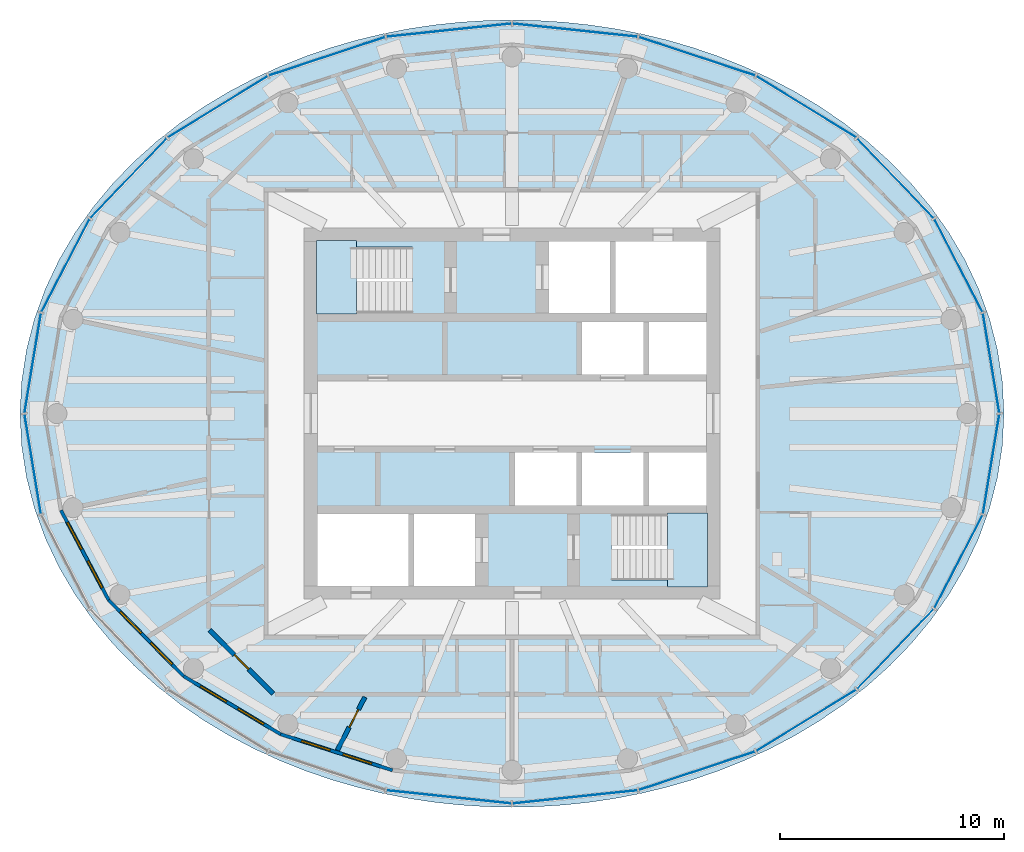
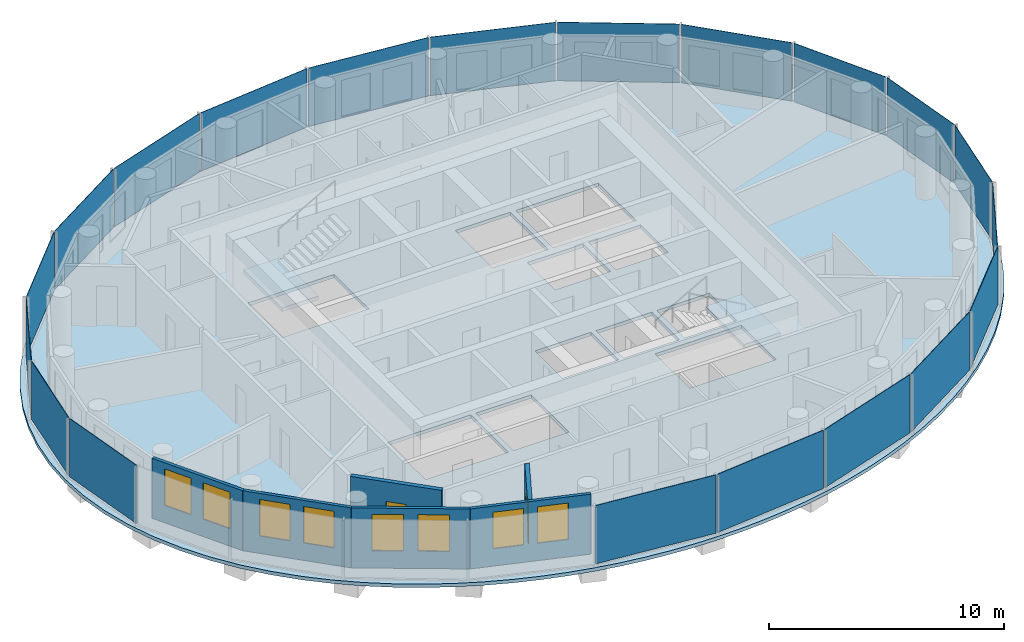
# One storey, part 4 of 11: 20 plates, 8 windows, 6 walls, 3 slabs, 2 doors, 10 openings, 6 elements without a shape of their own.
"""IFC4 building model written with IfcOpenShell, lengths in metres."""

from ifc_helpers import new_model, si_unit, direction, frame, frame_2d, origin, origin_2d, place, context, subcontext, project, spatial, polyline, rectangle, outline, extrude, material, layer, layer_set, type_object, element, fill, aggregate, save


model = new_model("IFC4")

# Units and contexts
model_context = context("Model", 3, precision=1e-05, world=origin(), true_north=direction((0.0, 1.0)))
body_context = subcontext(model_context, "Body", "Model", "MODEL_VIEW")
ifc_project = project(units=[si_unit("LENGTHUNIT", "METRE"), si_unit("AREAUNIT", "SQUARE_METRE"), si_unit("VOLUMEUNIT", "CUBIC_METRE"), si_unit("PLANEANGLEUNIT", "RADIAN"), si_unit("MASSUNIT", "GRAM", prefix="KILO")], contexts=[model_context])

# Site, building, storey
site_placement = place(None, origin())
site = spatial("IfcSite", under=ifc_project, at=site_placement, CompositionType="ELEMENT")
building_placement = place(site_placement, origin())
building = spatial("IfcBuilding", under=site, at=building_placement, Name="Hankou Lantern Tower", CompositionType="ELEMENT")
storey_placement = place(building_placement, frame((0.0, 0.0, 192.89990234375)))
storey = spatial("IfcBuildingStorey", under=building, at=storey_placement, Name="L51", CompositionType="ELEMENT", Elevation=192.89990234375)

# Curtain wall, plates
ifc_material_1 = material(Name="Glass, dark grey tinted laminated", Category="glass")
curtain_wall_type = type_object("IfcCurtainWallType", Name="CWD OUTER SKIN SUITE", PredefinedType="USERDEFINED", material=ifc_material_1)
curtain_wall_1_placement = place(storey_placement, origin())
curtain_wall_1 = element("IfcCurtainWall", 1, at=curtain_wall_1_placement, inside=storey, type_object=curtain_wall_type, Name="CWD L51 OS1", ObjectType="OUTER SKIN SUITE", PredefinedType="USERDEFINED")
ifc_material_2 = material(Name="Glass, dark grey tinted laminated", Category="glass")
ifc_layer_1 = layer(ifc_material_2, 0.02392578125)
ifc_layer_set_1 = layer_set([ifc_layer_1], Name="Glass, dark grey tinted laminated")
plate_type = type_object("IfcPlateType", Name="PN1 OUTER SKIN GLASS PANEL", PredefinedType="CURTAIN_PANEL", material=ifc_layer_set_1)
plate_1_placement = place(storey_placement, frame((21.4287109375, 2.2568359375, 0.080078125), z_axis=(0.0, 0.0, 1.0), x_axis=(-0.162381515188, 0.986728049427, 0.0)))
plate_1 = element("IfcPlate", 2, at=plate_1_placement, type_object=plate_type, Name="CWD glass panel 1", PredefinedType="CURTAIN_PANEL", context=body_context, shape_type="SweptSolid", body=[
    extrude(rectangle(XDim=4.49462890625, YDim=0.02392578125, at=origin_2d()), origin(), (0.0, 0.0, 1.0), 3.0400390625),
])
plate_2_placement = place(storey_placement, frame((19.96826171875, 6.616943359375, 0.080078125), z_axis=(0.0, 0.0, 1.0), x_axis=(-0.459791091957, 0.888027112062, 0.0)))
plate_2 = element("IfcPlate", 3, at=plate_2_placement, type_object=plate_type, Name="CWD glass panel 2", PredefinedType="CURTAIN_PANEL", context=body_context, shape_type="SweptSolid", body=[
    extrude(rectangle(XDim=4.656494140625, YDim=0.02392578125, at=origin_2d()), origin(), (0.0, 0.0, 1.0), 3.0400390625),
])
plate_3_placement = place(storey_placement, frame((17.147216796875, 10.52587890625, 0.080078125), z_axis=(0.0, 0.0, 1.0), x_axis=(-0.692215809936, 0.721690565599, 0.0)))
plate_3 = element("IfcPlate", 4, at=plate_3_placement, type_object=plate_type, Name="CWD glass panel 3", PredefinedType="CURTAIN_PANEL", context=body_context, shape_type="SweptSolid", body=[
    extrude(rectangle(XDim=4.9248046875, YDim=0.02392578125, at=origin_2d()), origin(), (0.0, 0.0, 1.0), 3.0400390625),
])
plate_4_placement = place(storey_placement, frame((13.157470703125, 13.7177734375, 0.080078125), z_axis=(0.0, 0.0, 1.0), x_axis=(-0.852237151549, 0.523155653242, 0.0)))
plate_4 = element("IfcPlate", 5, at=plate_4_placement, type_object=plate_type, Name="CWD glass panel 4", PredefinedType="CURTAIN_PANEL", context=body_context, shape_type="SweptSolid", body=[
    extrude(rectangle(XDim=5.2177734375, YDim=0.02392578125, at=origin_2d()), origin(), (0.0, 0.0, 1.0), 3.0400390625),
])
plate_5_placement = place(storey_placement, frame((8.271240234375, 15.974609375, 0.080078125), z_axis=(0.0, 0.0, 1.0), x_axis=(-0.949240677293, 0.31455068999, 0.0)))
plate_5 = element("IfcPlate", 6, at=plate_5_placement, type_object=plate_type, Name="CWD glass panel 5", PredefinedType="CURTAIN_PANEL", context=body_context, shape_type="SweptSolid", body=[
    extrude(rectangle(XDim=5.458984375, YDim=0.02392578125, at=origin_2d()), origin(), (0.0, 0.0, 1.0), 3.0400390625),
])
plate_6_placement = place(storey_placement, frame((2.821044921875, 17.142822265625, 0.080078125), z_axis=(0.0, 0.0, 1.0), x_axis=(-0.994499359107, 0.104742659579, 0.0)))
plate_6 = element("IfcPlate", 7, at=plate_6_placement, type_object=plate_type, Name="CWD glass panel 6", PredefinedType="CURTAIN_PANEL", context=body_context, shape_type="SweptSolid", body=[
    extrude(rectangle(XDim=5.593505859375, YDim=0.02392578125, at=origin_2d()), origin(), (0.0, 0.0, 1.0), 3.0400390625),
])
aggregate(curtain_wall_1, [plate_1, plate_2, plate_3, plate_4, plate_5, plate_6])

curtain_wall_2_placement = place(storey_placement, origin())
curtain_wall_2 = element("IfcCurtainWall", 8, at=curtain_wall_2_placement, inside=storey, type_object=curtain_wall_type, Name="CWD L51 OS2", ObjectType="OUTER SKIN SUITE", PredefinedType="USERDEFINED")
plate_7_placement = place(storey_placement, frame((-2.821044921875, 17.142822265625, 0.080078125), z_axis=(0.0, 0.0, 1.0), x_axis=(-0.994499359107, -0.104742659579, 0.0)))
plate_7 = element("IfcPlate", 9, at=plate_7_placement, type_object=plate_type, Name="CWD glass panel 1", PredefinedType="CURTAIN_PANEL", context=body_context, shape_type="SweptSolid", body=[
    extrude(rectangle(XDim=5.593505859375, YDim=0.02392578125, at=origin_2d()), origin(), (0.0, 0.0, 1.0), 3.0400390625),
])
plate_8_placement = place(storey_placement, frame((-8.271240234375, 15.974609375, 0.080078125), z_axis=(0.0, 0.0, 1.0), x_axis=(-0.949240677293, -0.31455068999, 0.0)))
plate_8 = element("IfcPlate", 10, at=plate_8_placement, type_object=plate_type, Name="CWD glass panel 2", PredefinedType="CURTAIN_PANEL", context=body_context, shape_type="SweptSolid", body=[
    extrude(rectangle(XDim=5.458984375, YDim=0.02392578125, at=origin_2d()), origin(), (0.0, 0.0, 1.0), 3.0400390625),
])
plate_9_placement = place(storey_placement, frame((-13.157470703125, 13.7177734375, 0.080078125), z_axis=(0.0, 0.0, 1.0), x_axis=(-0.852237151549, -0.523155653242, 0.0)))
plate_9 = element("IfcPlate", 11, at=plate_9_placement, type_object=plate_type, Name="CWD glass panel 3", PredefinedType="CURTAIN_PANEL", context=body_context, shape_type="SweptSolid", body=[
    extrude(rectangle(XDim=5.2177734375, YDim=0.02392578125, at=origin_2d()), origin(), (0.0, 0.0, 1.0), 3.0400390625),
])
plate_10_placement = place(storey_placement, frame((-17.147216796875, 10.52587890625, 0.080078125), z_axis=(0.0, 0.0, 1.0), x_axis=(-0.692215809936, -0.721690565599, 0.0)))
plate_10 = element("IfcPlate", 12, at=plate_10_placement, type_object=plate_type, Name="CWD glass panel 4", PredefinedType="CURTAIN_PANEL", context=body_context, shape_type="SweptSolid", body=[
    extrude(rectangle(XDim=4.9248046875, YDim=0.02392578125, at=origin_2d()), origin(), (0.0, 0.0, 1.0), 3.0400390625),
])
plate_11_placement = place(storey_placement, frame((-19.96826171875, 6.616943359375, 0.080078125), z_axis=(0.0, 0.0, 1.0), x_axis=(-0.459791091957, -0.888027112062, 0.0)))
plate_11 = element("IfcPlate", 13, at=plate_11_placement, type_object=plate_type, Name="CWD glass panel 5", PredefinedType="CURTAIN_PANEL", context=body_context, shape_type="SweptSolid", body=[
    extrude(rectangle(XDim=4.656494140625, YDim=0.02392578125, at=origin_2d()), origin(), (0.0, 0.0, 1.0), 3.0400390625),
])
plate_12_placement = place(storey_placement, frame((-21.4287109375, 2.2568359375, 0.080078125), z_axis=(0.0, 0.0, 1.0), x_axis=(-0.162381515188, -0.986728049427, 0.0)))
plate_12 = element("IfcPlate", 14, at=plate_12_placement, type_object=plate_type, Name="CWD glass panel 6", PredefinedType="CURTAIN_PANEL", context=body_context, shape_type="SweptSolid", body=[
    extrude(rectangle(XDim=4.49462890625, YDim=0.02392578125, at=origin_2d()), origin(), (0.0, 0.0, 1.0), 3.0400390625),
])
aggregate(curtain_wall_2, [plate_7, plate_8, plate_9, plate_10, plate_11, plate_12])

curtain_wall_3_placement = place(storey_placement, origin())
curtain_wall_3 = element("IfcCurtainWall", 15, at=curtain_wall_3_placement, inside=storey, type_object=curtain_wall_type, Name="CWD L51 OS3", ObjectType="OUTER SKIN SUITE", PredefinedType="USERDEFINED")
plate_13_placement = place(storey_placement, frame((-21.4287109375, -2.2568359375, 0.080078125), z_axis=(0.0, 0.0, 1.0), x_axis=(0.162381515188, -0.986728049427, 0.0)))
plate_13 = element("IfcPlate", 16, at=plate_13_placement, type_object=plate_type, Name="CWD glass panel 1", PredefinedType="CURTAIN_PANEL", context=body_context, shape_type="SweptSolid", body=[
    extrude(rectangle(XDim=4.49462890625, YDim=0.02392578125, at=origin_2d()), origin(), (0.0, 0.0, 1.0), 3.0400390625),
])
plate_14_placement = place(storey_placement, frame((-2.821044921875, -17.142822265625, 0.080078125), z_axis=(0.0, 0.0, 1.0), x_axis=(0.994499359107, -0.104742659579, 0.0)))
plate_14 = element("IfcPlate", 17, at=plate_14_placement, type_object=plate_type, Name="CWD glass panel 6", PredefinedType="CURTAIN_PANEL", context=body_context, shape_type="SweptSolid", body=[
    extrude(rectangle(XDim=5.593505859375, YDim=0.02392578125, at=origin_2d()), origin(), (0.0, 0.0, 1.0), 3.0400390625),
])
aggregate(curtain_wall_3, [plate_13, plate_14])

curtain_wall_4_placement = place(storey_placement, origin())
curtain_wall_4 = element("IfcCurtainWall", 18, at=curtain_wall_4_placement, inside=storey, type_object=curtain_wall_type, Name="CWD L51 OS4", ObjectType="OUTER SKIN SUITE", PredefinedType="USERDEFINED")
plate_15_placement = place(storey_placement, frame((2.821044921875, -17.142822265625, 0.080078125), z_axis=(0.0, 0.0, 1.0), x_axis=(0.994499359107, 0.104742659579, 0.0)))
plate_15 = element("IfcPlate", 19, at=plate_15_placement, type_object=plate_type, Name="CWD glass panel 1", PredefinedType="CURTAIN_PANEL", context=body_context, shape_type="SweptSolid", body=[
    extrude(rectangle(XDim=5.593505859375, YDim=0.02392578125, at=origin_2d()), origin(), (0.0, 0.0, 1.0), 3.0400390625),
])
plate_16_placement = place(storey_placement, frame((8.271240234375, -15.974609375, 0.080078125), z_axis=(0.0, 0.0, 1.0), x_axis=(0.949240677293, 0.31455068999, 0.0)))
plate_16 = element("IfcPlate", 20, at=plate_16_placement, type_object=plate_type, Name="CWD glass panel 2", PredefinedType="CURTAIN_PANEL", context=body_context, shape_type="SweptSolid", body=[
    extrude(rectangle(XDim=5.458984375, YDim=0.02392578125, at=origin_2d()), origin(), (0.0, 0.0, 1.0), 3.0400390625),
])
plate_17_placement = place(storey_placement, frame((13.157470703125, -13.7177734375, 0.080078125), z_axis=(0.0, 0.0, 1.0), x_axis=(0.852237151549, 0.523155653242, 0.0)))
plate_17 = element("IfcPlate", 21, at=plate_17_placement, type_object=plate_type, Name="CWD glass panel 3", PredefinedType="CURTAIN_PANEL", context=body_context, shape_type="SweptSolid", body=[
    extrude(rectangle(XDim=5.2177734375, YDim=0.02392578125, at=origin_2d()), origin(), (0.0, 0.0, 1.0), 3.0400390625),
])
plate_18_placement = place(storey_placement, frame((17.147216796875, -10.52587890625, 0.080078125), z_axis=(0.0, 0.0, 1.0), x_axis=(0.692215809936, 0.721690565599, 0.0)))
plate_18 = element("IfcPlate", 22, at=plate_18_placement, type_object=plate_type, Name="CWD glass panel 4", PredefinedType="CURTAIN_PANEL", context=body_context, shape_type="SweptSolid", body=[
    extrude(rectangle(XDim=4.9248046875, YDim=0.02392578125, at=origin_2d()), origin(), (0.0, 0.0, 1.0), 3.0400390625),
])
plate_19_placement = place(storey_placement, frame((19.96826171875, -6.616943359375, 0.080078125), z_axis=(0.0, 0.0, 1.0), x_axis=(0.459791091957, 0.888027112062, 0.0)))
plate_19 = element("IfcPlate", 23, at=plate_19_placement, type_object=plate_type, Name="CWD glass panel 5", PredefinedType="CURTAIN_PANEL", context=body_context, shape_type="SweptSolid", body=[
    extrude(rectangle(XDim=4.656494140625, YDim=0.02392578125, at=origin_2d()), origin(), (0.0, 0.0, 1.0), 3.0400390625),
])
plate_20_placement = place(storey_placement, frame((21.4287109375, -2.2568359375, 0.080078125), z_axis=(0.0, 0.0, 1.0), x_axis=(0.162381515188, 0.986728049427, 0.0)))
plate_20 = element("IfcPlate", 24, at=plate_20_placement, type_object=plate_type, Name="CWD glass panel 6", PredefinedType="CURTAIN_PANEL", context=body_context, shape_type="SweptSolid", body=[
    extrude(rectangle(XDim=4.49462890625, YDim=0.02392578125, at=origin_2d()), origin(), (0.0, 0.0, 1.0), 3.0400390625),
])
aggregate(curtain_wall_4, [plate_15, plate_16, plate_17, plate_18, plate_19, plate_20])

# Slab
ifc_material_3 = material(Name="Concrete C50", Category="concrete")
ifc_layer_2 = layer(ifc_material_3, 0.179931640625)
ifc_layer_set_2 = layer_set([ifc_layer_2], Name="Concrete C50")
slab_type_1 = type_object("IfcSlabType", Name="S1 CONCRETE FLOOR SLAB 180", PredefinedType="FLOOR", material=ifc_layer_set_2)
slab_1_placement = place(storey_placement, frame((0.0, 0.0, -0.179931640625)))
element("IfcSlab", 25, at=slab_1_placement, inside=storey, type_object=slab_type_1, Name="Floor slab L51", PredefinedType="FLOOR", context=body_context, shape_type="SweptSolid", body=[
    extrude(outline(polyline([(22.0, 0.0), (21.926513671875, 1.437255859375), (21.7080078125, 2.85791015625), (21.349853515625, 4.246826171875), (20.861083984375, 5.589599609375), (20.252197265625, 6.874755859375), (19.53662109375, 8.09228515625), (18.727783203125, 9.235595703125), (17.83935546875, 10.299560546875), (16.88525390625, 11.2822265625), (15.877197265625, 12.18310546875), (14.82666015625, 13.002685546875), (13.743408203125, 13.743408203125), (12.63525390625, 14.40771484375), (11.509521484375, 14.999267578125), (10.37109375, 15.521728515625), (9.224853515625, 15.97802734375), (8.07373046875, 16.3720703125), (6.920166015625, 16.70654296875), (5.765625, 16.98486328125), (4.611083984375, 17.208984375), (3.457275390625, 17.38134765625), (2.304443359375, 17.503173828125), (1.152099609375, 17.575927734375), (0.0, 17.60009765625), (-1.152099609375, 17.575927734375), (-2.304443359375, 17.503173828125), (-3.457275390625, 17.38134765625), (-4.611083984375, 17.208984375), (-5.765625, 16.98486328125), (-6.920166015625, 16.70654296875), (-8.07373046875, 16.3720703125), (-9.224853515625, 15.97802734375), (-10.37109375, 15.521728515625), (-11.509521484375, 14.999267578125), (-12.63525390625, 14.40771484375), (-13.743408203125, 13.743408203125), (-14.82666015625, 13.002685546875), (-15.877197265625, 12.18310546875), (-16.88525390625, 11.2822265625), (-17.83935546875, 10.299560546875), (-18.727783203125, 9.235595703125), (-19.53662109375, 8.09228515625), (-20.252197265625, 6.874755859375), (-20.861083984375, 5.589599609375), (-21.349853515625, 4.246826171875), (-21.7080078125, 2.85791015625), (-21.926513671875, 1.437255859375), (-22.0, 0.0), (-21.926513671875, -1.437255859375), (-21.7080078125, -2.85791015625), (-21.349853515625, -4.246826171875), (-20.861083984375, -5.589599609375), (-20.252197265625, -6.874755859375), (-19.53662109375, -8.09228515625), (-18.727783203125, -9.235595703125), (-17.83935546875, -10.299560546875), (-16.88525390625, -11.2822265625), (-15.877197265625, -12.18310546875), (-14.82666015625, -13.002685546875), (-13.743408203125, -13.743408203125), (-12.63525390625, -14.40771484375), (-11.509521484375, -14.999267578125), (-10.37109375, -15.521728515625), (-9.224853515625, -15.97802734375), (-8.07373046875, -16.3720703125), (-6.920166015625, -16.70654296875), (-5.765625, -16.98486328125), (-4.611083984375, -17.208984375), (-3.457275390625, -17.38134765625), (-2.304443359375, -17.503173828125), (-1.152099609375, -17.575927734375), (0.0, -17.60009765625), (1.152099609375, -17.575927734375), (2.304443359375, -17.503173828125), (3.457275390625, -17.38134765625), (4.611083984375, -17.208984375), (5.765625, -16.98486328125), (6.920166015625, -16.70654296875), (8.07373046875, -16.3720703125), (9.224853515625, -15.97802734375), (10.37109375, -15.521728515625), (11.509521484375, -14.999267578125), (12.63525390625, -14.40771484375), (13.743408203125, -13.743408203125), (14.82666015625, -13.002685546875), (15.877197265625, -12.18310546875), (16.88525390625, -11.2822265625), (17.83935546875, -10.299560546875), (18.727783203125, -9.235595703125), (19.53662109375, -8.09228515625), (20.252197265625, -6.874755859375), (20.861083984375, -5.589599609375), (21.349853515625, -4.246826171875), (21.7080078125, -2.85791015625), (21.926513671875, -1.437255859375), (22.0, 0.0)]), holes=[polyline([(3.125, 4.10009765625), (5.875, 4.10009765625), (5.875, 1.75), (3.125, 1.75), (3.125, 4.10009765625)]), polyline([(6.125, 4.10009765625), (8.699951171875, 4.10009765625), (8.699951171875, 1.75), (6.125, 1.75), (6.125, 4.10009765625)]), polyline([(0.125, -1.75), (2.875, -1.75), (2.875, -4.10009765625), (0.125, -4.10009765625), (0.125, -1.75)]), polyline([(3.125, -1.75), (5.875, -1.75), (5.875, -4.10009765625), (3.125, -4.10009765625), (3.125, -1.75)]), polyline([(6.125, -1.75), (8.699951171875, -1.75), (8.699951171875, -4.10009765625), (6.125, -4.10009765625), (6.125, -1.75)]), polyline([(1.64990234375, 7.699951171875), (4.375, 7.699951171875), (4.375, 4.5), (1.64990234375, 4.5), (1.64990234375, 7.699951171875)]), polyline([(-4.375, -4.5), (-1.64990234375, -4.5), (-1.64990234375, -7.699951171875), (-4.375, -7.699951171875), (-4.375, -4.5)]), polyline([(-8.699951171875, 7.449951171875), (-4.449951171875, 7.449951171875), (-4.449951171875, 4.5), (-8.699951171875, 4.5), (-8.699951171875, 7.449951171875)]), polyline([(4.449951171875, -4.5), (8.699951171875, -4.5), (8.699951171875, -7.449951171875), (4.449951171875, -7.449951171875), (4.449951171875, -4.5)]), polyline([(4.625, 7.699951171875), (8.699951171875, 7.699951171875), (8.699951171875, 4.5), (4.625, 4.5), (4.625, 7.699951171875)]), polyline([(-8.699951171875, -4.5), (-4.625, -4.5), (-4.625, -7.699951171875), (-8.699951171875, -7.699951171875), (-8.699951171875, -4.5)])]), origin(), (0.0, 0.0, 1.0), 0.179931640625),
])

# Stair, slab
ifc_material_4 = material(Name="Concrete C40", Category="concrete")
stair_type = type_object("IfcStairType", Name="ST33 CORE STAIR 3300 RISE", PredefinedType="HALF_TURN_STAIR", material=ifc_material_4)
stair_1_placement = place(storey_placement, origin())
stair_1 = element("IfcStair", 26, at=stair_1_placement, inside=storey, type_object=stair_type, Name="Stair STA L51", PredefinedType="HALF_TURN_STAIR")
ifc_material_5 = material(Name="Concrete C40", Category="concrete")
ifc_layer_3 = layer(ifc_material_5, 0.199951171875)
ifc_layer_set_3 = layer_set([ifc_layer_3], Name="Concrete C40")
slab_type_2 = type_object("IfcSlabType", Name="SL1 STAIR LANDING 200", PredefinedType="LANDING", material=ifc_layer_set_3)
slab_2_placement = place(storey_placement, frame((0.0, 0.0, 1.37158203125)))
slab_2 = element("IfcSlab", 27, at=slab_2_placement, type_object=slab_type_2, Name="STA landing 1", PredefinedType="LANDING", context=body_context, shape_type="SweptSolid", body=[
    extrude(outline(polyline([(-8.75, 4.449951171875), (-6.949951171875, 4.449951171875), (-6.949951171875, 7.75), (-8.75, 7.75), (-8.75, 4.449951171875)])), origin(), (0.0, 0.0, 1.0), 0.199951171875),
])
aggregate(stair_1, [slab_2])

stair_2_placement = place(storey_placement, origin())
stair_2 = element("IfcStair", 28, at=stair_2_placement, inside=storey, type_object=stair_type, Name="Stair STB L51", PredefinedType="HALF_TURN_STAIR")
slab_3_placement = place(storey_placement, frame((0.0, 0.0, 1.37158203125)))
slab_3 = element("IfcSlab", 29, at=slab_3_placement, type_object=slab_type_2, Name="STB landing 1", PredefinedType="LANDING", context=body_context, shape_type="SweptSolid", body=[
    extrude(outline(polyline([(8.75, -4.449951171875), (6.949951171875, -4.449951171875), (6.949951171875, -7.75), (8.75, -7.75), (8.75, -4.449951171875)])), origin(), (0.0, 0.0, 1.0), 0.199951171875),
])
aggregate(stair_2, [slab_3])

# Wall, openings, windows
ifc_material_6 = material(Name="Aluminium spandrel panel on steel studs", Category="steel")
ifc_layer_4 = layer(ifc_material_6, 0.14990234375)
ifc_layer_set_4 = layer_set([ifc_layer_4], Name="Aluminium spandrel panel on steel studs")
wall_type_1 = type_object("IfcWallType", Name="EW1 INNER SKIN WALL 150", PredefinedType="ELEMENTEDWALL", material=ifc_layer_set_4)
wall_1_placement = place(storey_placement, frame((-20.169677734375, -4.323486328125, 0.0), z_axis=(0.0, 0.0, 1.0), x_axis=(0.469256152955, -0.883062094597, 0.0)))
wall_1 = element("IfcWall", 30, at=wall_1_placement, inside=storey, type_object=wall_type_1, Name="Inner skin R14-R15 L51", PredefinedType="ELEMENTEDWALL", context=body_context, shape_type="SweptSolid", body=[
    extrude(rectangle(XDim=4.539306640625, YDim=0.14990234375, at=frame_2d((2.26953125, 0.0))), origin(), (0.0, 0.0, 1.0), 3.1201171875),
])
opening_1_placement = place(wall_1_placement, frame((0.61962890625, 0.0, 0.89990234375)))
opening_1 = element("IfcOpeningElement", 31, at=opening_1_placement, cuts=wall_1, Name="Opening W4", PredefinedType="OPENING", context=body_context, shape_type="SweptSolid", body=[
    extrude(rectangle(XDim=1.35009765625, YDim=1.89990234375, at=frame_2d((0.675048828125, 0.949951171875))), frame((0.0, 0.0849609375, 0.0), z_axis=(0.0, -1.0, 0.0), x_axis=(1.0, 0.0, 0.0)), (0.0, 0.0, 1.0), 0.169921875),
])
opening_2_placement = place(wall_1_placement, frame((2.569580078125, 0.0, 0.89990234375)))
opening_2 = element("IfcOpeningElement", 32, at=opening_2_placement, cuts=wall_1, Name="Opening W4", PredefinedType="OPENING", context=body_context, shape_type="SweptSolid", body=[
    extrude(rectangle(XDim=1.35009765625, YDim=1.89990234375, at=frame_2d((0.675048828125, 0.949951171875))), frame((0.0, 0.0849609375, 0.0), z_axis=(0.0, -1.0, 0.0), x_axis=(1.0, 0.0, 0.0)), (0.0, 0.0, 1.0), 0.169921875),
])
ifc_material_7 = material(Name="Aluminium framed double glazed window", Category="aluminium")
window_type = type_object("IfcWindowType", Name="W4 SUITE WINDOW 1350X1900", PartitioningType="DOUBLE_PANEL_VERTICAL", PredefinedType="WINDOW", material=ifc_material_7)
window_1_placement = place(opening_1_placement, origin())
window_1 = element("IfcWindow", 33, at=window_1_placement, inside=storey, type_object=window_type, Name="Window R14.1 L51", OverallHeight=1.89990234375, OverallWidth=1.35009765625, PartitioningType="SINGLE_PANEL", PredefinedType="WINDOW", context=body_context, shape_type="SweptSolid", body=[
    extrude(rectangle(XDim=1.35009765625, YDim=1.89990234375, at=frame_2d((0.675048828125, 0.949951171875))), frame((0.0, 0.030029296875, 0.0), z_axis=(0.0, -1.0, 0.0), x_axis=(1.0, 0.0, 0.0)), (0.0, 0.0, 1.0), 0.06005859375),
])
fill(opening_1, window_1)
window_2_placement = place(opening_2_placement, origin())
window_2 = element("IfcWindow", 34, at=window_2_placement, inside=storey, type_object=window_type, Name="Window R14.2 L51", OverallHeight=1.89990234375, OverallWidth=1.35009765625, PartitioningType="SINGLE_PANEL", PredefinedType="WINDOW", context=body_context, shape_type="SweptSolid", body=[
    extrude(rectangle(XDim=1.35009765625, YDim=1.89990234375, at=frame_2d((0.675048828125, 0.949951171875))), frame((0.0, 0.030029296875, 0.0), z_axis=(0.0, -1.0, 0.0), x_axis=(1.0, 0.0, 0.0)), (0.0, 0.0, 1.0), 0.06005859375),
])
fill(opening_2, window_2)

wall_2_placement = place(storey_placement, frame((-18.03955078125, -8.33203125, 0.0), z_axis=(0.0, 0.0, 1.0), x_axis=(0.701527379618, -0.712642501993, 0.0)))
wall_2 = element("IfcWall", 35, at=wall_2_placement, inside=storey, type_object=wall_type_1, Name="Inner skin R15-R16 L51", PredefinedType="ELEMENTEDWALL", context=body_context, shape_type="SweptSolid", body=[
    extrude(rectangle(XDim=4.788330078125, YDim=0.14990234375, at=frame_2d((2.39404296875, 0.0))), origin(), (0.0, 0.0, 1.0), 3.1201171875),
])
opening_3_placement = place(wall_2_placement, frame((0.744140625, 0.0, 0.89990234375)))
opening_3 = element("IfcOpeningElement", 36, at=opening_3_placement, cuts=wall_2, Name="Opening W4", PredefinedType="OPENING", context=body_context, shape_type="SweptSolid", body=[
    extrude(rectangle(XDim=1.35009765625, YDim=1.89990234375, at=frame_2d((0.675048828125, 0.949951171875))), frame((0.0, 0.0849609375, 0.0), z_axis=(0.0, -1.0, 0.0), x_axis=(1.0, 0.0, 0.0)), (0.0, 0.0, 1.0), 0.169921875),
])
opening_4_placement = place(wall_2_placement, frame((2.694091796875, 0.0, 0.89990234375)))
opening_4 = element("IfcOpeningElement", 37, at=opening_4_placement, cuts=wall_2, Name="Opening W4", PredefinedType="OPENING", context=body_context, shape_type="SweptSolid", body=[
    extrude(rectangle(XDim=1.35009765625, YDim=1.89990234375, at=frame_2d((0.675048828125, 0.949951171875))), frame((0.0, 0.0849609375, 0.0), z_axis=(0.0, -1.0, 0.0), x_axis=(1.0, 0.0, 0.0)), (0.0, 0.0, 1.0), 0.169921875),
])
window_3_placement = place(opening_3_placement, origin())
window_3 = element("IfcWindow", 38, at=window_3_placement, inside=storey, type_object=window_type, Name="Window R15.1 L51", OverallHeight=1.89990234375, OverallWidth=1.35009765625, PartitioningType="SINGLE_PANEL", PredefinedType="WINDOW", context=body_context, shape_type="SweptSolid", body=[
    extrude(rectangle(XDim=1.35009765625, YDim=1.89990234375, at=frame_2d((0.675048828125, 0.949951171875))), frame((0.0, 0.030029296875, 0.0), z_axis=(0.0, -1.0, 0.0), x_axis=(1.0, 0.0, 0.0)), (0.0, 0.0, 1.0), 0.06005859375),
])
fill(opening_3, window_3)
window_4_placement = place(opening_4_placement, origin())
window_4 = element("IfcWindow", 39, at=window_4_placement, inside=storey, type_object=window_type, Name="Window R15.2 L51", OverallHeight=1.89990234375, OverallWidth=1.35009765625, PartitioningType="SINGLE_PANEL", PredefinedType="WINDOW", context=body_context, shape_type="SweptSolid", body=[
    extrude(rectangle(XDim=1.35009765625, YDim=1.89990234375, at=frame_2d((0.675048828125, 0.949951171875))), frame((0.0, 0.030029296875, 0.0), z_axis=(0.0, -1.0, 0.0), x_axis=(1.0, 0.0, 0.0)), (0.0, 0.0, 1.0), 0.06005859375),
])
fill(opening_4, window_4)

wall_3_placement = place(storey_placement, frame((-14.680419921875, -11.744384765625, 0.0), z_axis=(0.0, 0.0, 1.0), x_axis=(0.85822150553, -0.513279502265, 0.0)))
wall_3 = element("IfcWall", 40, at=wall_3_placement, inside=storey, type_object=wall_type_1, Name="Inner skin R16-R17 L51", PredefinedType="ELEMENTEDWALL", context=body_context, shape_type="SweptSolid", body=[
    extrude(rectangle(XDim=5.050048828125, YDim=0.14990234375, at=frame_2d((2.52490234375, 0.0))), origin(), (0.0, 0.0, 1.0), 3.1201171875),
])
opening_5_placement = place(wall_3_placement, frame((0.875, 0.0, 0.89990234375)))
opening_5 = element("IfcOpeningElement", 41, at=opening_5_placement, cuts=wall_3, Name="Opening W4", PredefinedType="OPENING", context=body_context, shape_type="SweptSolid", body=[
    extrude(rectangle(XDim=1.35009765625, YDim=1.89990234375, at=frame_2d((0.675048828125, 0.949951171875))), frame((0.0, 0.0849609375, 0.0), z_axis=(0.0, -1.0, 0.0), x_axis=(1.0, 0.0, 0.0)), (0.0, 0.0, 1.0), 0.169921875),
])
opening_6_placement = place(wall_3_placement, frame((2.824951171875, 0.0, 0.89990234375)))
opening_6 = element("IfcOpeningElement", 42, at=opening_6_placement, cuts=wall_3, Name="Opening W4", PredefinedType="OPENING", context=body_context, shape_type="SweptSolid", body=[
    extrude(rectangle(XDim=1.35009765625, YDim=1.89990234375, at=frame_2d((0.675048828125, 0.949951171875))), frame((0.0, 0.0849609375, 0.0), z_axis=(0.0, -1.0, 0.0), x_axis=(1.0, 0.0, 0.0)), (0.0, 0.0, 1.0), 0.169921875),
])
window_5_placement = place(opening_5_placement, origin())
window_5 = element("IfcWindow", 43, at=window_5_placement, inside=storey, type_object=window_type, Name="Window R16.1 L51", OverallHeight=1.89990234375, OverallWidth=1.35009765625, PartitioningType="SINGLE_PANEL", PredefinedType="WINDOW", context=body_context, shape_type="SweptSolid", body=[
    extrude(rectangle(XDim=1.35009765625, YDim=1.89990234375, at=frame_2d((0.675048828125, 0.949951171875))), frame((0.0, 0.030029296875, 0.0), z_axis=(0.0, -1.0, 0.0), x_axis=(1.0, 0.0, 0.0)), (0.0, 0.0, 1.0), 0.06005859375),
])
fill(opening_5, window_5)
window_6_placement = place(opening_6_placement, origin())
window_6 = element("IfcWindow", 44, at=window_6_placement, inside=storey, type_object=window_type, Name="Window R16.2 L51", OverallHeight=1.89990234375, OverallWidth=1.35009765625, PartitioningType="SINGLE_PANEL", PredefinedType="WINDOW", context=body_context, shape_type="SweptSolid", body=[
    extrude(rectangle(XDim=1.35009765625, YDim=1.89990234375, at=frame_2d((0.675048828125, 0.949951171875))), frame((0.0, 0.030029296875, 0.0), z_axis=(0.0, -1.0, 0.0), x_axis=(1.0, 0.0, 0.0)), (0.0, 0.0, 1.0), 0.06005859375),
])
fill(opening_6, window_6)

wall_4_placement = place(storey_placement, frame((-10.346435546875, -14.33642578125, 0.0), z_axis=(0.0, 0.0, 1.0), x_axis=(0.951644702515, -0.307200846638, 0.0)))
wall_4 = element("IfcWall", 45, at=wall_4_placement, inside=storey, type_object=wall_type_1, Name="Inner skin R17-R18 L51", PredefinedType="ELEMENTEDWALL", context=body_context, shape_type="SweptSolid", body=[
    extrude(rectangle(XDim=5.2578125, YDim=0.14990234375, at=frame_2d((2.62890625, 0.0))), origin(), (0.0, 0.0, 1.0), 3.1201171875),
])
opening_7_placement = place(wall_4_placement, frame((0.97900390625, 0.0, 0.89990234375)))
opening_7 = element("IfcOpeningElement", 46, at=opening_7_placement, cuts=wall_4, Name="Opening W4", PredefinedType="OPENING", context=body_context, shape_type="SweptSolid", body=[
    extrude(rectangle(XDim=1.35009765625, YDim=1.89990234375, at=frame_2d((0.675048828125, 0.949951171875))), frame((0.0, 0.0849609375, 0.0), z_axis=(0.0, -1.0, 0.0), x_axis=(1.0, 0.0, 0.0)), (0.0, 0.0, 1.0), 0.169921875),
])
opening_8_placement = place(wall_4_placement, frame((2.928955078125, 0.0, 0.89990234375)))
opening_8 = element("IfcOpeningElement", 47, at=opening_8_placement, cuts=wall_4, Name="Opening W4", PredefinedType="OPENING", context=body_context, shape_type="SweptSolid", body=[
    extrude(rectangle(XDim=1.35009765625, YDim=1.89990234375, at=frame_2d((0.675048828125, 0.949951171875))), frame((0.0, 0.0849609375, 0.0), z_axis=(0.0, -1.0, 0.0), x_axis=(1.0, 0.0, 0.0)), (0.0, 0.0, 1.0), 0.169921875),
])
window_7_placement = place(opening_7_placement, origin())
window_7 = element("IfcWindow", 48, at=window_7_placement, inside=storey, type_object=window_type, Name="Window R17.1 L51", OverallHeight=1.89990234375, OverallWidth=1.35009765625, PartitioningType="SINGLE_PANEL", PredefinedType="WINDOW", context=body_context, shape_type="SweptSolid", body=[
    extrude(rectangle(XDim=1.35009765625, YDim=1.89990234375, at=frame_2d((0.675048828125, 0.949951171875))), frame((0.0, 0.030029296875, 0.0), z_axis=(0.0, -1.0, 0.0), x_axis=(1.0, 0.0, 0.0)), (0.0, 0.0, 1.0), 0.06005859375),
])
fill(opening_7, window_7)
window_8_placement = place(opening_8_placement, origin())
window_8 = element("IfcWindow", 49, at=window_8_placement, inside=storey, type_object=window_type, Name="Window R17.2 L51", OverallHeight=1.89990234375, OverallWidth=1.35009765625, PartitioningType="SINGLE_PANEL", PredefinedType="WINDOW", context=body_context, shape_type="SweptSolid", body=[
    extrude(rectangle(XDim=1.35009765625, YDim=1.89990234375, at=frame_2d((0.675048828125, 0.949951171875))), frame((0.0, 0.030029296875, 0.0), z_axis=(0.0, -1.0, 0.0), x_axis=(1.0, 0.0, 0.0)), (0.0, 0.0, 1.0), 0.06005859375),
])
fill(opening_8, window_8)

# Wall, opening, door
ifc_material_8 = material(Name="Masonry lightweight concrete block", Category="masonry")
ifc_layer_5 = layer(ifc_material_8, 0.199951171875)
ifc_layer_set_5 = layer_set([ifc_layer_5], Name="Masonry lightweight concrete block")
wall_type_2 = type_object("IfcWallType", Name="IW6 SUITE PARTITION 200", PredefinedType="PARTITIONING", material=ifc_layer_set_5)
wall_5_placement = place(storey_placement, frame((-13.520751953125, -9.67919921875, 0.0), z_axis=(0.0, 0.0, 1.0), x_axis=(0.707106781187, -0.707106781187, 0.0)))
wall_5 = element("IfcWall", 50, at=wall_5_placement, inside=storey, type_object=wall_type_2, Name="Suite foyer wall 5106", PredefinedType="PARTITIONING", context=body_context, shape_type="SweptSolid", body=[
    extrude(rectangle(XDim=4.0185546875, YDim=0.199951171875, at=frame_2d((2.00927734375, 0.0))), origin(), (0.0, 0.0, 1.0), 3.1201171875),
])
opening_9_placement = place(wall_5_placement, frame((1.570068359375, 0.0, 0.0)))
opening_9 = element("IfcOpeningElement", 51, at=opening_9_placement, cuts=wall_5, Name="Opening D27", PredefinedType="OPENING", context=body_context, shape_type="SweptSolid", body=[
    extrude(rectangle(XDim=0.89990234375, YDim=2.10009765625, at=frame_2d((0.449951171875, 1.050048828125))), frame((0.0, 0.10986328125, 0.0), z_axis=(0.0, -1.0, 0.0), x_axis=(1.0, 0.0, 0.0)), (0.0, 0.0, 1.0), 0.219970703125),
])
ifc_material_9 = material(Name="Timber door leaf", Category="wood")
door_type = type_object("IfcDoorType", Name="D27 INTERNAL DOOR 900X2100", OperationType="SINGLE_SWING_LEFT", PredefinedType="DOOR", material=ifc_material_9)
door_1_placement = place(opening_9_placement, origin())
door_1 = element("IfcDoor", 52, at=door_1_placement, inside=storey, type_object=door_type, Name="Suite 5106 living room door", OperationType="SINGLE_SWING_RIGHT", OverallHeight=2.10009765625, OverallWidth=0.89990234375, PredefinedType="DOOR", context=body_context, shape_type="SweptSolid", body=[
    extrude(rectangle(XDim=0.89990234375, YDim=2.10009765625, at=frame_2d((0.449951171875, 1.050048828125))), frame((0.0, 0.02490234375, 0.0), z_axis=(0.0, -1.0, 0.0), x_axis=(1.0, 0.0, 0.0)), (0.0, 0.0, 1.0), 0.050048828125),
])
fill(opening_9, door_1)

wall_6_placement = place(storey_placement, frame((-6.578125, -12.676513671875, 0.0), z_axis=(0.0, 0.0, 1.0), x_axis=(-0.460620531465, -0.887597164255, 0.0)))
wall_6 = element("IfcWall", 53, at=wall_6_placement, inside=storey, type_object=wall_type_2, Name="Suite partition R17-R18", PredefinedType="PARTITIONING", context=body_context, shape_type="SweptSolid", body=[
    extrude(rectangle(XDim=2.677734375, YDim=0.199951171875, at=frame_2d((1.3388671875, 0.0))), origin(), (0.0, 0.0, 1.0), 3.1201171875),
])
opening_10_placement = place(wall_6_placement, frame((0.6201171875, 0.0, 0.0)))
opening_10 = element("IfcOpeningElement", 54, at=opening_10_placement, cuts=wall_6, Name="Opening D27", PredefinedType="OPENING", context=body_context, shape_type="SweptSolid", body=[
    extrude(rectangle(XDim=0.89990234375, YDim=2.10009765625, at=frame_2d((0.449951171875, 1.050048828125))), frame((0.0, 0.10986328125, 0.0), z_axis=(0.0, -1.0, 0.0), x_axis=(1.0, 0.0, 0.0)), (0.0, 0.0, 1.0), 0.219970703125),
])
door_2_placement = place(opening_10_placement, origin())
door_2 = element("IfcDoor", 55, at=door_2_placement, inside=storey, type_object=door_type, Name="Suite 5106 bedroom door", OperationType="SINGLE_SWING_LEFT", OverallHeight=2.10009765625, OverallWidth=0.89990234375, PredefinedType="DOOR", context=body_context, shape_type="SweptSolid", body=[
    extrude(rectangle(XDim=0.89990234375, YDim=2.10009765625, at=frame_2d((0.449951171875, 1.050048828125))), frame((0.0, 0.02490234375, 0.0), z_axis=(0.0, -1.0, 0.0), x_axis=(1.0, 0.0, 0.0)), (0.0, 0.0, 1.0), 0.050048828125),
])
fill(opening_10, door_2)

save(model, "model.ifc")
